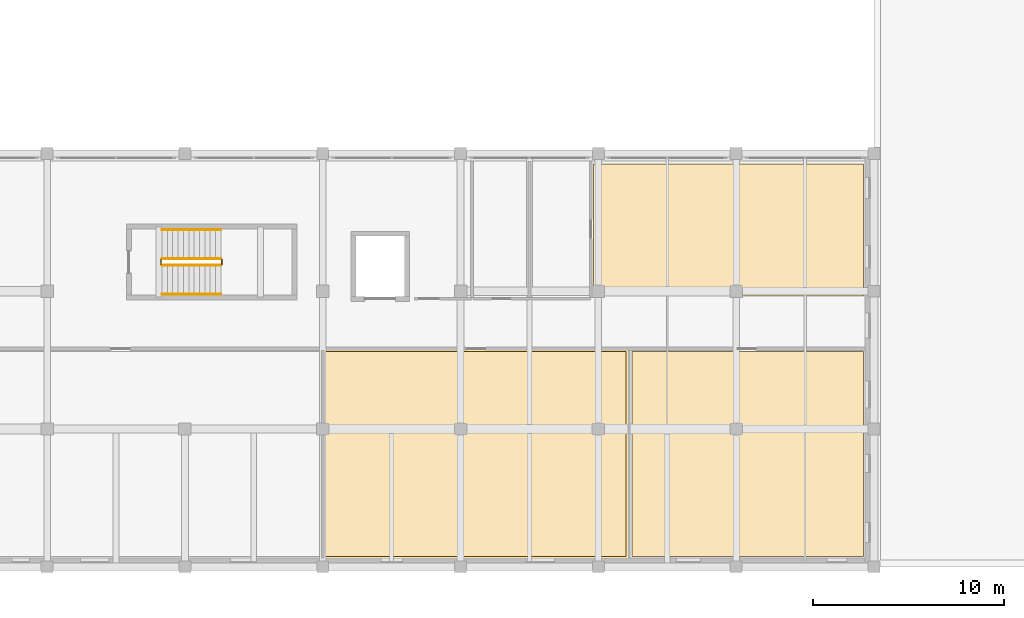
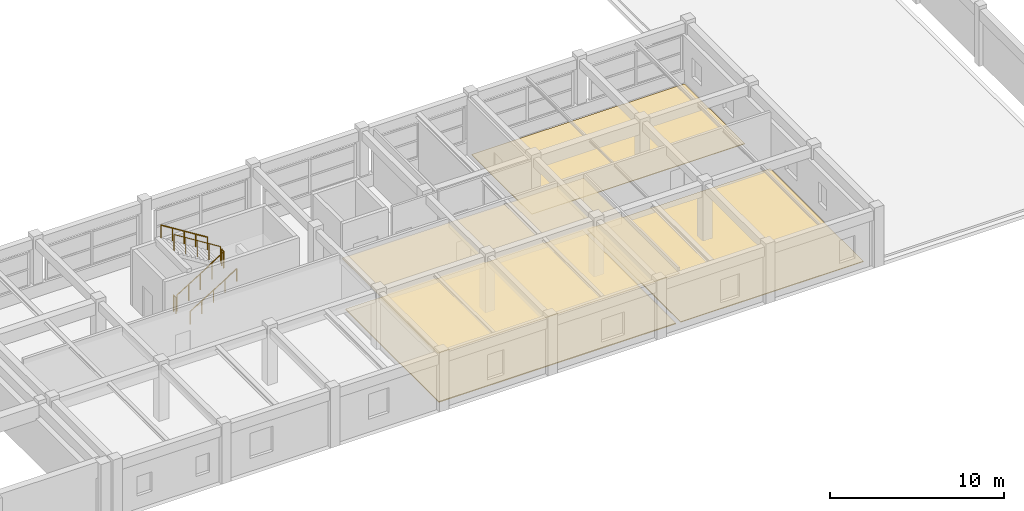
# One storey, part 61 of 67: 6 railings, 4 coverings.
"""IFC4 building model written with IfcOpenShell, lengths in metres."""

from ifc_helpers import new_model, si_unit, direction, frame, origin, origin_2d, place, context, subcontext, project, spatial, polyline, circle, outline, extrude, material, layer, layer_set, type_object, element, save


model = new_model("IFC4")

# Units and contexts
model_context = context("Model", 3, precision=1e-05, world=origin(), true_north=direction((0.0, 1.0)))
body_context = subcontext(model_context, "Body", "Model", "MODEL_VIEW")
ifc_project = project(units=[si_unit("LENGTHUNIT", "METRE"), si_unit("AREAUNIT", "SQUARE_METRE"), si_unit("VOLUMEUNIT", "CUBIC_METRE"), si_unit("PLANEANGLEUNIT", "RADIAN"), si_unit("MASSUNIT", "GRAM", prefix="KILO")], contexts=[model_context])

# Site, building, storey
site_placement = place(None, origin())
site = spatial("IfcSite", under=ifc_project, at=site_placement, CompositionType="ELEMENT")
building_placement = place(site_placement, origin())
building = spatial("IfcBuilding", under=site, at=building_placement, Name="Bramveld Media Centre", CompositionType="ELEMENT")
storey_placement = place(building_placement, frame((0.0, 0.0, 5.39990234375)))
storey = spatial("IfcBuildingStorey", under=building, at=storey_placement, Name="L01", CompositionType="ELEMENT", Elevation=5.39990234375)

# Coverings
ifc_material_1 = material(Name="Perforated acoustic mineral-fibre & oak-slat suspended ceiling")
ifc_layer_1 = layer(ifc_material_1, 0.044921875)
ifc_layer_set_1 = layer_set([ifc_layer_1], Name="Perforated acoustic mineral-fibre & oak-slat suspended ceiling")
covering_type_1 = type_object("IfcCoveringType", Name="COV-CEIL-01", PredefinedType="CEILING", material=ifc_layer_set_1)
covering_1_placement = place(storey_placement, frame((0.0, 0.0, 3.55517578125)))
element("IfcCovering", 1, at=covering_1_placement, inside=storey, type_object=covering_type_1, Name="Individual Viewing & Listening Carrels acoustic suspended ceiling", PredefinedType="CEILING", context=body_context, shape_type="SweptSolid", body=[
    extrude(outline(polyline([(80.0, 0.39990234375), (96.0, 0.39990234375), (96.0, 11.39990234375), (80.0, 11.39990234375), (80.0, 0.39990234375)])), origin(), (0.0, 0.0, 1.0), 0.044921875),
])
ifc_material_2 = material(Name="Floating acoustic screed with smoked European oak studio flooring")
ifc_layer_2 = layer(ifc_material_2, 0.06494140625)
ifc_layer_set_2 = layer_set([ifc_layer_2], Name="Floating acoustic screed with smoked European oak studio flooring")
covering_type_2 = type_object("IfcCoveringType", Name="COV-FLOOR-01", PredefinedType="FLOORING", material=ifc_layer_set_2)
covering_2_placement = place(storey_placement, origin())
element("IfcCovering", 2, at=covering_2_placement, inside=storey, type_object=covering_type_2, Name="Individual Viewing & Listening Carrels finish flooring", PredefinedType="FLOORING", context=body_context, shape_type="SweptSolid", body=[
    extrude(outline(polyline([(80.14990234375, 0.550048828125), (95.85009765625, 0.550048828125), (95.85009765625, 11.25), (80.14990234375, 11.25), (80.14990234375, 0.550048828125)])), origin(), (0.0, 0.0, 1.0), 0.065185546875),
])
ifc_material_3 = material(Name="Honed Belgian bluestone (petit granit) public concourse flooring", Category="masonry")
ifc_layer_3 = layer(ifc_material_3, 0.050048828125)
ifc_layer_set_3 = layer_set([ifc_layer_3], Name="Honed Belgian bluestone (petit granit) public concourse flooring")
covering_type_3 = type_object("IfcCoveringType", Name="COV-FLOOR-02", PredefinedType="FLOORING", material=ifc_layer_set_3)
covering_3_placement = place(storey_placement, origin())
element("IfcCovering", 3, at=covering_3_placement, inside=storey, type_object=covering_type_3, Name="Periodicals & Script Library finish flooring", PredefinedType="FLOORING", context=body_context, shape_type="SweptSolid", body=[
    extrude(outline(polyline([(96.14990234375, 0.550048828125), (108.25, 0.550048828125), (108.25, 11.25), (96.14990234375, 11.25), (96.14990234375, 0.550048828125)])), origin(), (0.0, 0.0, 1.0), 0.050048828125),
])
ifc_material_4 = material(Name="Anti-static acoustic linoleum editing & vault flooring")
ifc_layer_4 = layer(ifc_material_4, 0.0400390625)
ifc_layer_set_4 = layer_set([ifc_layer_4], Name="Anti-static acoustic linoleum editing & vault flooring")
covering_type_4 = type_object("IfcCoveringType", Name="COV-FLOOR-03", PredefinedType="FLOORING", material=ifc_layer_set_4)
covering_4_placement = place(storey_placement, origin())
element("IfcCovering", 4, at=covering_4_placement, inside=storey, type_object=covering_type_4, Name="Digital Catalogue Circulation Lobby finish flooring", PredefinedType="FLOORING", context=body_context, shape_type="SweptSolid", body=[
    extrude(outline(polyline([(94.14990234375, 14.14990234375), (108.25, 14.14990234375), (108.25, 21.050048828125), (94.14990234375, 21.050048828125), (94.14990234375, 14.14990234375)])), origin(), (0.0, 0.0, 1.0), 0.0400390625),
])

# Railings
ifc_material_5 = material(Name="Painted galvanized steel stairwell guardrail", Category="steel")
railing_type_1 = type_object("IfcRailingType", Name="RAIL-STAIR-GUARD-1150", PredefinedType="GUARDRAIL", material=ifc_material_5)
railing_1_placement = place(storey_placement, frame((71.60009765625, 15.75, 0.175048828125)))
element("IfcRailing", 5, at=railing_1_placement, inside=storey, type_object=railing_type_1, Name="L01 ST-06 stair guard 1", PredefinedType="GUARDRAIL", context=body_context, shape_type="SweptSolid", body=[
    extrude(circle(Radius=0.02392578125, at=origin_2d()), frame((0.0, 0.0, 1.1259765625), z_axis=(0.847979421464, 0.0, 0.530029150871), x_axis=(0.0, 1.0, 0.0)), (0.0, 0.0, 1.0), 3.632080078125),
    extrude(circle(Radius=0.02099609375, at=origin_2d()), origin(), (0.0, 0.0, 1.0), 1.101806640625),
    extrude(circle(Radius=0.02099609375, at=origin_2d()), frame((0.77001953125, 0.0, 0.481201171875)), (0.0, 0.0, 1.0), 1.101806640625),
    extrude(circle(Radius=0.02099609375, at=origin_2d()), frame((1.5400390625, 0.0, 0.96240234375)), (0.0, 0.0, 1.0), 1.101806640625),
    extrude(circle(Radius=0.02099609375, at=origin_2d()), frame((2.309814453125, 0.0, 1.44384765625)), (0.0, 0.0, 1.0), 1.101806640625),
    extrude(circle(Radius=0.02099609375, at=origin_2d()), frame((3.079833984375, 0.0, 1.925048828125)), (0.0, 0.0, 1.0), 1.101806640625),
])
railing_2_placement = place(storey_placement, frame((74.72998046875, 15.800048828125, 2.10009765625)))
element("IfcRailing", 6, at=railing_2_placement, inside=storey, type_object=railing_type_1, Name="L01 ST-06 stair guard 2", PredefinedType="GUARDRAIL", context=body_context, shape_type="SweptSolid", body=[
    extrude(circle(Radius=0.02392578125, at=origin_2d()), frame((0.0, 0.0, 1.1259765625), z_axis=(0.0, 1.0, 0.0), x_axis=(-1.0, 0.0, 0.0)), (0.0, 0.0, 1.0), 0.25),
    extrude(circle(Radius=0.02099609375, at=origin_2d()), origin(), (0.0, 0.0, 1.0), 1.101806640625),
    extrude(circle(Radius=0.02099609375, at=origin_2d()), frame((0.0, 0.25, 0.0)), (0.0, 0.0, 1.0), 1.101806640625),
])
railing_3_placement = place(storey_placement, frame((74.679931640625, 16.10009765625, 2.275146484375)))
element("IfcRailing", 7, at=railing_3_placement, inside=storey, type_object=railing_type_1, Name="L01 ST-06 stair guard 3", PredefinedType="GUARDRAIL", context=body_context, shape_type="SweptSolid", body=[
    extrude(circle(Radius=0.02392578125, at=origin_2d()), frame((0.0, 0.0, 1.1259765625), z_axis=(-0.847979421464, 0.0, 0.530029150871), x_axis=(0.0, -1.0, 0.0)), (0.0, 0.0, 1.0), 3.632080078125),
    extrude(circle(Radius=0.02099609375, at=origin_2d()), origin(), (0.0, 0.0, 1.0), 1.101806640625),
    extrude(circle(Radius=0.02099609375, at=origin_2d()), frame((-0.77001953125, 0.0, 0.481201171875)), (0.0, 0.0, 1.0), 1.101806640625),
    extrude(circle(Radius=0.02099609375, at=origin_2d()), frame((-1.5400390625, 0.0, 0.96240234375)), (0.0, 0.0, 1.0), 1.101806640625),
    extrude(circle(Radius=0.02099609375, at=origin_2d()), frame((-2.309814453125, 0.0, 1.44384765625)), (0.0, 0.0, 1.0), 1.101806640625),
    extrude(circle(Radius=0.02099609375, at=origin_2d()), frame((-3.079833984375, 0.0, 1.925048828125)), (0.0, 0.0, 1.0), 1.101806640625),
])
railing_4_placement = place(storey_placement, frame((71.550048828125, 15.800048828125, 0.0)))
element("IfcRailing", 8, at=railing_4_placement, inside=storey, type_object=railing_type_1, Name="L01 ST-06 stair guard 4", PredefinedType="GUARDRAIL", context=body_context, shape_type="SweptSolid", body=[
    extrude(circle(Radius=0.02392578125, at=origin_2d()), frame((0.0, 0.0, 1.1259765625), z_axis=(0.0, 1.0, 0.0), x_axis=(-1.0, 0.0, 0.0)), (0.0, 0.0, 1.0), 0.25),
    extrude(circle(Radius=0.02099609375, at=origin_2d()), origin(), (0.0, 0.0, 1.0), 1.101806640625),
    extrude(circle(Radius=0.02099609375, at=origin_2d()), frame((0.0, 0.25, 0.0)), (0.0, 0.0, 1.0), 1.101806640625),
])
ifc_material_6 = material(Name="Brushed stainless steel tubular stair handrail", Category="steel")
railing_type_2 = type_object("IfcRailingType", Name="RAIL-STAIR-HAND-0920", PredefinedType="HANDRAIL", material=ifc_material_6)
railing_5_placement = place(storey_placement, frame((71.60009765625, 14.25, 0.175048828125)))
element("IfcRailing", 9, at=railing_5_placement, inside=storey, type_object=railing_type_2, Name="L01 ST-06 stair handrail 1", PredefinedType="HANDRAIL", context=body_context, shape_type="SweptSolid", body=[
    extrude(circle(Radius=0.02392578125, at=origin_2d()), frame((0.0, 0.0, 0.8759765625), z_axis=(0.847979421464, 0.0, 0.530029150871), x_axis=(0.0, 1.0, 0.0)), (0.0, 0.0, 1.0), 3.632080078125),
    extrude(circle(Radius=0.02099609375, at=origin_2d()), origin(), (0.0, 0.0, 1.0), 0.851806640625),
    extrude(circle(Radius=0.02099609375, at=origin_2d()), frame((0.77001953125, 0.0, 0.481201171875)), (0.0, 0.0, 1.0), 0.851806640625),
    extrude(circle(Radius=0.02099609375, at=origin_2d()), frame((1.5400390625, 0.0, 0.96240234375)), (0.0, 0.0, 1.0), 0.851806640625),
    extrude(circle(Radius=0.02099609375, at=origin_2d()), frame((2.309814453125, 0.0, 1.44384765625)), (0.0, 0.0, 1.0), 0.851806640625),
    extrude(circle(Radius=0.02099609375, at=origin_2d()), frame((3.079833984375, 0.0, 1.925048828125)), (0.0, 0.0, 1.0), 0.851806640625),
])
railing_6_placement = place(storey_placement, frame((74.679931640625, 17.60009765625, 2.275146484375)))
element("IfcRailing", 10, at=railing_6_placement, inside=storey, type_object=railing_type_2, Name="L01 ST-06 stair handrail 2", PredefinedType="HANDRAIL", context=body_context, shape_type="SweptSolid", body=[
    extrude(circle(Radius=0.02392578125, at=origin_2d()), frame((0.0, 0.0, 0.8759765625), z_axis=(-0.847979421464, 0.0, 0.530029150871), x_axis=(0.0, -1.0, 0.0)), (0.0, 0.0, 1.0), 3.632080078125),
    extrude(circle(Radius=0.02099609375, at=origin_2d()), origin(), (0.0, 0.0, 1.0), 0.851806640625),
    extrude(circle(Radius=0.02099609375, at=origin_2d()), frame((-0.77001953125, 0.0, 0.481201171875)), (0.0, 0.0, 1.0), 0.851806640625),
    extrude(circle(Radius=0.02099609375, at=origin_2d()), frame((-1.5400390625, 0.0, 0.96240234375)), (0.0, 0.0, 1.0), 0.851806640625),
    extrude(circle(Radius=0.02099609375, at=origin_2d()), frame((-2.309814453125, 0.0, 1.44384765625)), (0.0, 0.0, 1.0), 0.851806640625),
    extrude(circle(Radius=0.02099609375, at=origin_2d()), frame((-3.079833984375, 0.0, 1.925048828125)), (0.0, 0.0, 1.0), 0.851806640625),
])

save(model, "model.ifc")
